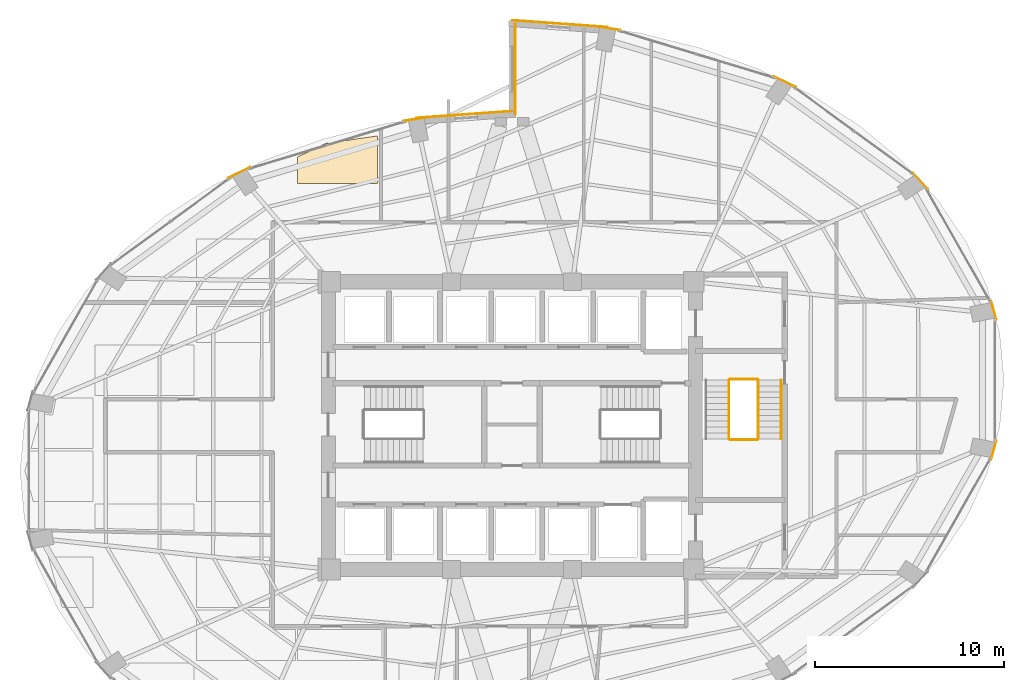
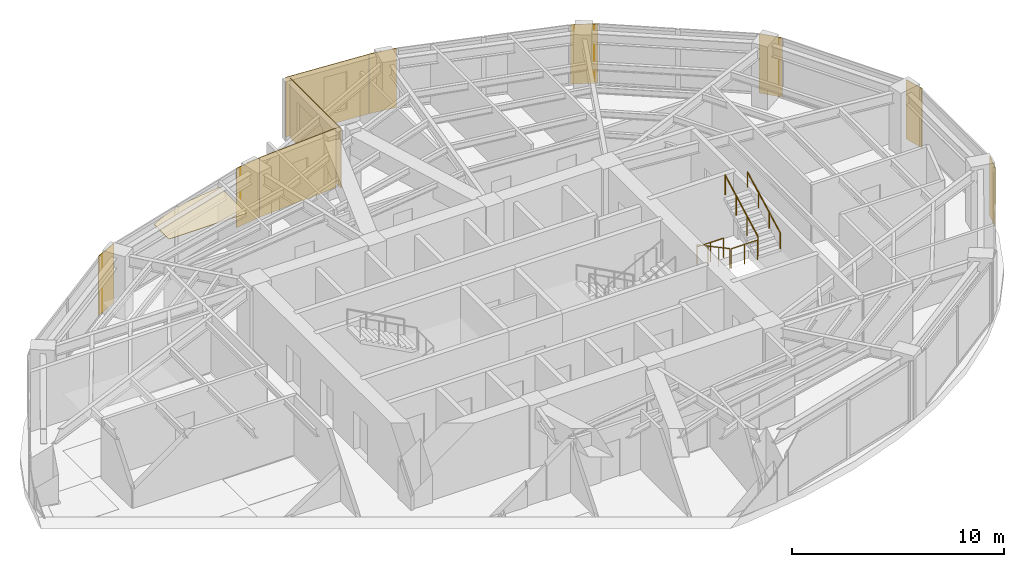
# One storey, part 23 of 23: 11 coverings, 5 railings.
"""IFC4 building model written with IfcOpenShell, lengths in metres."""

from ifc_helpers import new_model, si_unit, direction, frame, origin, origin_2d, place, context, subcontext, project, spatial, polyline, rectangle, circle, outline, extrude, material, layer, layer_set, type_object, element, save


model = new_model("IFC4")

# Units and contexts
model_context = context("Model", 3, precision=1e-05, world=origin(), true_north=direction((0.0, 1.0)))
body_context = subcontext(model_context, "Body", "Model", "MODEL_VIEW")
ifc_project = project(units=[si_unit("LENGTHUNIT", "METRE"), si_unit("AREAUNIT", "SQUARE_METRE"), si_unit("VOLUMEUNIT", "CUBIC_METRE"), si_unit("PLANEANGLEUNIT", "RADIAN"), si_unit("MASSUNIT", "GRAM", prefix="KILO")], contexts=[model_context])

# Site, building, storey
site_placement = place(None, origin())
site = spatial("IfcSite", under=ifc_project, at=site_placement, CompositionType="ELEMENT")
building_placement = place(site_placement, origin())
building = spatial("IfcBuilding", under=site, at=building_placement, Name="Lazwardi Medical Tower", CompositionType="ELEMENT")
storey_placement = place(building_placement, frame((0.0, 0.0, 81.743896484375)))
storey = spatial("IfcBuildingStorey", under=building, at=storey_placement, Name="L20", CompositionType="ELEMENT", Elevation=81.743896484375)

# Coverings
ifc_material_1 = material(Name="Anodised bronze aluminium cassette cladding", Category="aluminium")
ifc_layer_1 = layer(ifc_material_1, 0.030029296875)
ifc_layer_set_1 = layer_set([ifc_layer_1], Name="Anodised bronze aluminium cassette cladding")
covering_type_1 = type_object("IfcCoveringType", Name="COV-CLD-BRZ", PredefinedType="CLADDING", material=ifc_layer_set_1)
for number, where, z_axis, x_axis, name in (
    (1, (61.459716796875, 26.700927734375, 0.0), (0.0, 0.0, 1.0), (0.262696108164, 0.964878621774, 0.0), "L20 Mega-column bronze cassette cover M04"),
    (2, (61.459716796875, 34.09912109375, 0.0), (0.0, 0.0, 1.0), (-0.262696108164, 0.964878621774, 0.0), "L20 Mega-column bronze cassette cover M05"),
):
    element("IfcCovering", number, at=place(storey_placement, frame(where, z_axis=z_axis, x_axis=x_axis)), inside=storey, type_object=covering_type_1, Name=name, PredefinedType="CLADDING", context=body_context, shape_type="SweptSolid", body=[
        extrude(rectangle(XDim=1.04296875, YDim=0.030029296875, at=origin_2d()), origin(), (0.0, 0.0, 1.0), 3.427978515625),
    ])
covering_1_placement = place(storey_placement, frame((57.583740234375, 40.93408203125, 0.0), z_axis=(0.0, 0.0, 1.0), x_axis=(-0.674925949214, 0.737885467453, 0.0)))
element("IfcCovering", 3, at=covering_1_placement, inside=storey, type_object=covering_type_1, Name="L20 Mega-column bronze cassette cover M06", PredefinedType="CLADDING", context=body_context, shape_type="SweptSolid", body=[
    extrude(rectangle(XDim=1.15625, YDim=0.030029296875, at=origin_2d()), origin(), (0.0, 0.0, 1.0), 3.427978515625),
])
covering_2_placement = place(storey_placement, frame((50.421875, 46.16552734375, 0.0), z_axis=(0.0, 0.0, 1.0), x_axis=(-0.898679250201, 0.438606435495, 0.0)))
element("IfcCovering", 4, at=covering_2_placement, inside=storey, type_object=covering_type_1, Name="L20 Mega-column bronze cassette cover M07", PredefinedType="CLADDING", context=body_context, shape_type="SweptSolid", body=[
    extrude(rectangle(XDim=1.2998046875, YDim=0.030029296875, at=origin_2d()), origin(), (0.0, 0.0, 1.0), 3.427978515625),
])
for number, where, z_axis, x_axis, name in (
    (5, (41.064208984375, 48.99658203125, 0.0), (0.0, 0.0, 1.0), (-0.989609019093, 0.143784523955, 0.0), "L20 Mega-column bronze cassette cover M08"),
    (6, (30.935791015625, 44.19677734375, 0.0), (0.0, 0.0, 1.0), (-0.989609019093, -0.143784523955, 0.0), "L20 Mega-column bronze cassette cover M09"),
):
    element("IfcCovering", number, at=place(storey_placement, frame(where, z_axis=z_axis, x_axis=x_axis)), inside=storey, type_object=covering_type_1, Name=name, PredefinedType="CLADDING", context=body_context, shape_type="SweptSolid", body=[
        extrude(rectangle(XDim=1.392333984375, YDim=0.030029296875, at=origin_2d()), origin(), (0.0, 0.0, 1.0), 3.427978515625),
    ])
covering_3_placement = place(storey_placement, frame((21.578125, 41.365478515625, 0.0), z_axis=(0.0, 0.0, 1.0), x_axis=(-0.898679250201, -0.438606435495, 0.0)))
element("IfcCovering", 7, at=covering_3_placement, inside=storey, type_object=covering_type_1, Name="L20 Mega-column bronze cassette cover M10", PredefinedType="CLADDING", context=body_context, shape_type="SweptSolid", body=[
    extrude(rectangle(XDim=1.2998046875, YDim=0.030029296875, at=origin_2d()), origin(), (0.0, 0.0, 1.0), 3.427978515625),
])
ifc_material_2 = material(Name="Turquoise glazed ceramic tilework cladding", Category="masonry")
ifc_layer_2 = layer(ifc_material_2, 0.034912109375)
ifc_layer_set_2 = layer_set([ifc_layer_2], Name="Turquoise glazed ceramic tilework cladding")
covering_type_2 = type_object("IfcCoveringType", Name="COV-CLD-TRQ", PredefinedType="CLADDING", material=ifc_layer_set_2)
covering_4_placement = place(storey_placement, frame((38.533203125, 49.23388671875, 0.0), z_axis=(0.0, 0.0, 1.0), x_axis=(-0.997431665415, 0.07162452672, 0.0)))
element("IfcCovering", 8, at=covering_4_placement, inside=storey, type_object=covering_type_2, Name="L20 Turquoise glazed ceramic tilework cladding", PredefinedType="CLADDING", context=body_context, shape_type="SweptSolid", body=[
    extrude(rectangle(XDim=5.05419921875, YDim=0.034912109375, at=origin_2d()), origin(), (0.0, 0.0, 1.0), 3.427978515625),
])
covering_5_placement = place(storey_placement, frame((33.466552734375, 44.43408203125, 0.0), z_axis=(0.0, 0.0, 1.0), x_axis=(-0.997431165357, -0.071631490105, 0.0)))
element("IfcCovering", 9, at=covering_5_placement, inside=storey, type_object=covering_type_2, Name="L20 Turquoise glazed ceramic tilework cladding", PredefinedType="CLADDING", context=body_context, shape_type="SweptSolid", body=[
    extrude(rectangle(XDim=5.0537109375, YDim=0.034912109375, at=origin_2d()), origin(), (0.0, 0.0, 1.0), 3.427978515625),
])
covering_6_placement = place(storey_placement, frame((36.175537109375, 46.840087890625, 0.0), z_axis=(0.0, 0.0, 1.0), x_axis=(0.0, -1.0, 0.0)))
element("IfcCovering", 10, at=covering_6_placement, inside=storey, type_object=covering_type_2, Name="L20 Turquoise glazed ceramic tilework iwan panel", PredefinedType="CLADDING", context=body_context, shape_type="SweptSolid", body=[
    extrude(rectangle(XDim=4.800048828125, YDim=0.034912109375, at=origin_2d()), origin(), (0.0, 0.0, 1.0), 3.427978515625),
])
ifc_material_3 = material(Name="Acoustic mineral fibre tile")
ifc_layer_3 = layer(ifc_material_3, 0.02490234375)
ifc_layer_set_3 = layer_set([ifc_layer_3], Name="Acoustic mineral fibre tile")
covering_type_3 = type_object("IfcCoveringType", Name="COV-CLG-01", PredefinedType="CEILING", material=ifc_layer_set_3)
covering_7_placement = place(storey_placement, frame((0.0, 0.0, 3.283203125)))
element("IfcCovering", 11, at=covering_7_placement, inside=storey, type_object=covering_type_3, Name="L20 Clinical Acoustic Ceiling 10", PredefinedType="CEILING", context=body_context, shape_type="SweptSolid", body=[
    extrude(outline(polyline([(28.905029296875, 40.782470703125), (28.905029296875, 43.310546875), (26.142822265625, 42.909912109375), (24.6728515625, 42.194091796875), (24.6728515625, 40.782470703125), (28.905029296875, 40.782470703125)])), origin(), (0.0, 0.0, 1.0), 0.02490234375),
])

# Railings
ifc_material_4 = material(Name="Stainless steel Grade 316", Category="steel")
railing_type_1 = type_object("IfcRailingType", Name="RLG-GRD-1150", PredefinedType="GUARDRAIL", material=ifc_material_4)
railing_1_placement = place(storey_placement, frame((47.469970703125, 30.39990234375, 0.166015625)))
element("IfcRailing", 12, at=railing_1_placement, inside=storey, type_object=railing_type_1, Name="L20 ST3 stair guard 1", PredefinedType="GUARDRAIL", context=body_context, shape_type="SweptSolid", body=[
    extrude(circle(Radius=0.02392578125, at=origin_2d()), frame((0.0, 0.0, 1.1259765625), z_axis=(0.0, -0.881767849116, 0.471683644262), x_axis=(1.0, 0.0, 0.0)), (0.0, 0.0, 1.0), 3.515380859375),
    extrude(circle(Radius=0.02099609375, at=origin_2d()), origin(), (0.0, 0.0, 1.0), 1.099853515625),
    extrude(circle(Radius=0.02099609375, at=origin_2d()), frame((0.0, -1.033203125, 0.552734375)), (0.0, 0.0, 1.0), 1.099853515625),
    extrude(circle(Radius=0.02099609375, at=origin_2d()), frame((0.0, -2.066650390625, 1.10546875)), (0.0, 0.0, 1.0), 1.099853515625),
    extrude(circle(Radius=0.02099609375, at=origin_2d()), frame((0.0, -3.099853515625, 1.658203125)), (0.0, 0.0, 1.0), 1.099853515625),
])
railing_2_placement = place(storey_placement, frame((47.52001953125, 27.25, 1.82421875)))
element("IfcRailing", 13, at=railing_2_placement, inside=storey, type_object=railing_type_1, Name="L20 ST3 stair guard 2", PredefinedType="GUARDRAIL", context=body_context, shape_type="SweptSolid", body=[
    extrude(circle(Radius=0.02392578125, at=origin_2d()), frame((0.0, 0.0, 1.1259765625), z_axis=(1.0, 0.0, 0.0), x_axis=(0.0, 1.0, 0.0)), (0.0, 0.0, 1.0), 1.43994140625),
    extrude(circle(Radius=0.02099609375, at=origin_2d()), origin(), (0.0, 0.0, 1.0), 1.099853515625),
    extrude(circle(Radius=0.02099609375, at=origin_2d()), frame((0.719970703125, 0.0, 0.0)), (0.0, 0.0, 1.0), 1.099853515625),
    extrude(circle(Radius=0.02099609375, at=origin_2d()), frame((1.43994140625, 0.0, 0.0)), (0.0, 0.0, 1.0), 1.099853515625),
])
railing_3_placement = place(storey_placement, frame((49.010009765625, 27.300048828125, 1.989990234375)))
element("IfcRailing", 14, at=railing_3_placement, inside=storey, type_object=railing_type_1, Name="L20 ST3 stair guard 3", PredefinedType="GUARDRAIL", context=body_context, shape_type="SweptSolid", body=[
    extrude(circle(Radius=0.02392578125, at=origin_2d()), frame((0.0, 0.0, 1.1259765625), z_axis=(0.0, 0.881767849116, 0.471683644262), x_axis=(-1.0, 0.0, 0.0)), (0.0, 0.0, 1.0), 3.515380859375),
    extrude(circle(Radius=0.02099609375, at=origin_2d()), origin(), (0.0, 0.0, 1.0), 1.099853515625),
    extrude(circle(Radius=0.02099609375, at=origin_2d()), frame((0.0, 1.033203125, 0.552734375)), (0.0, 0.0, 1.0), 1.099853515625),
    extrude(circle(Radius=0.02099609375, at=origin_2d()), frame((0.0, 2.066650390625, 1.10546875)), (0.0, 0.0, 1.0), 1.099853515625),
    extrude(circle(Radius=0.02099609375, at=origin_2d()), frame((0.0, 3.099853515625, 1.658203125)), (0.0, 0.0, 1.0), 1.099853515625),
])
railing_4_placement = place(storey_placement, frame((47.52001953125, 30.449951171875, 0.0)))
element("IfcRailing", 15, at=railing_4_placement, inside=storey, type_object=railing_type_1, Name="L20 ST3 stair guard 4", PredefinedType="GUARDRAIL", context=body_context, shape_type="SweptSolid", body=[
    extrude(circle(Radius=0.02392578125, at=origin_2d()), frame((0.0, 0.0, 1.1259765625), z_axis=(1.0, 0.0, 0.0), x_axis=(0.0, 1.0, 0.0)), (0.0, 0.0, 1.0), 1.43994140625),
    extrude(circle(Radius=0.02099609375, at=origin_2d()), origin(), (0.0, 0.0, 1.0), 1.099853515625),
    extrude(circle(Radius=0.02099609375, at=origin_2d()), frame((0.719970703125, 0.0, 0.0)), (0.0, 0.0, 1.0), 1.099853515625),
    extrude(circle(Radius=0.02099609375, at=origin_2d()), frame((1.43994140625, 0.0, 0.0)), (0.0, 0.0, 1.0), 1.099853515625),
])
railing_type_2 = type_object("IfcRailingType", Name="RLG-HND-920", PredefinedType="HANDRAIL", material=ifc_material_4)
railing_5_placement = place(storey_placement, frame((50.22998046875, 27.300048828125, 1.989990234375)))
element("IfcRailing", 16, at=railing_5_placement, inside=storey, type_object=railing_type_2, Name="L20 ST3 stair handrail 2", PredefinedType="HANDRAIL", context=body_context, shape_type="SweptSolid", body=[
    extrude(circle(Radius=0.02392578125, at=origin_2d()), frame((0.0, 0.0, 0.8857421875), z_axis=(0.0, 0.881767849116, 0.471683644262), x_axis=(-1.0, 0.0, 0.0)), (0.0, 0.0, 1.0), 3.515380859375),
    extrude(circle(Radius=0.02099609375, at=origin_2d()), origin(), (0.0, 0.0, 1.0), 0.85986328125),
    extrude(circle(Radius=0.02099609375, at=origin_2d()), frame((0.0, 1.033203125, 0.552734375)), (0.0, 0.0, 1.0), 0.85986328125),
    extrude(circle(Radius=0.02099609375, at=origin_2d()), frame((0.0, 2.066650390625, 1.10546875)), (0.0, 0.0, 1.0), 0.85986328125),
    extrude(circle(Radius=0.02099609375, at=origin_2d()), frame((0.0, 3.099853515625, 1.658203125)), (0.0, 0.0, 1.0), 0.85986328125),
])

save(model, "model.ifc")
